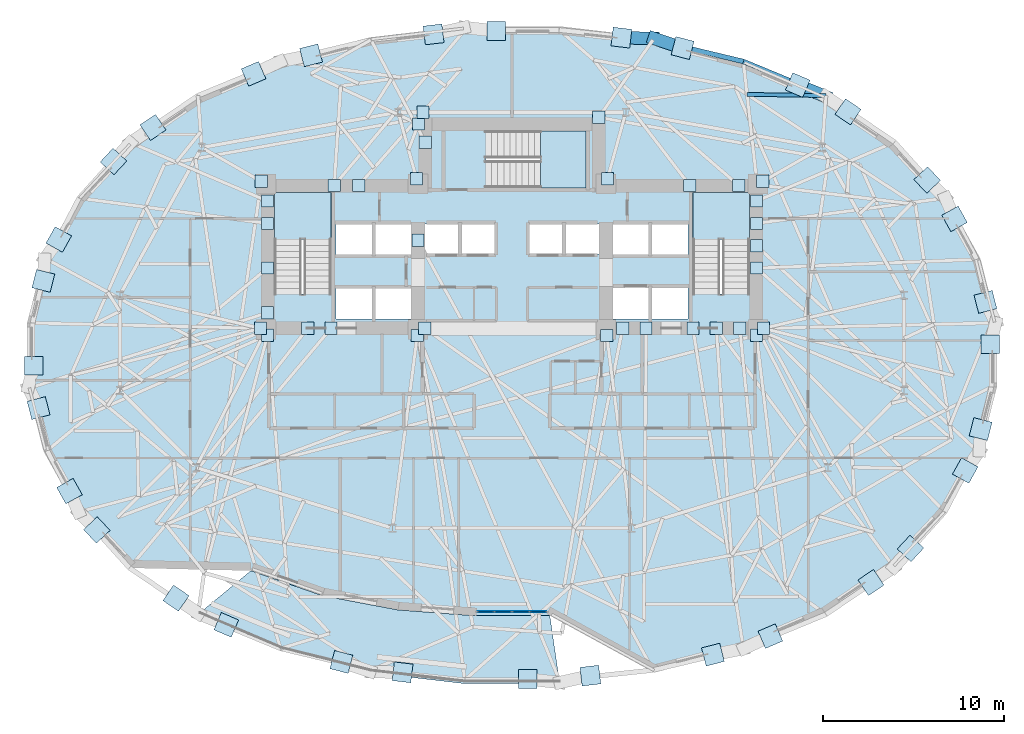
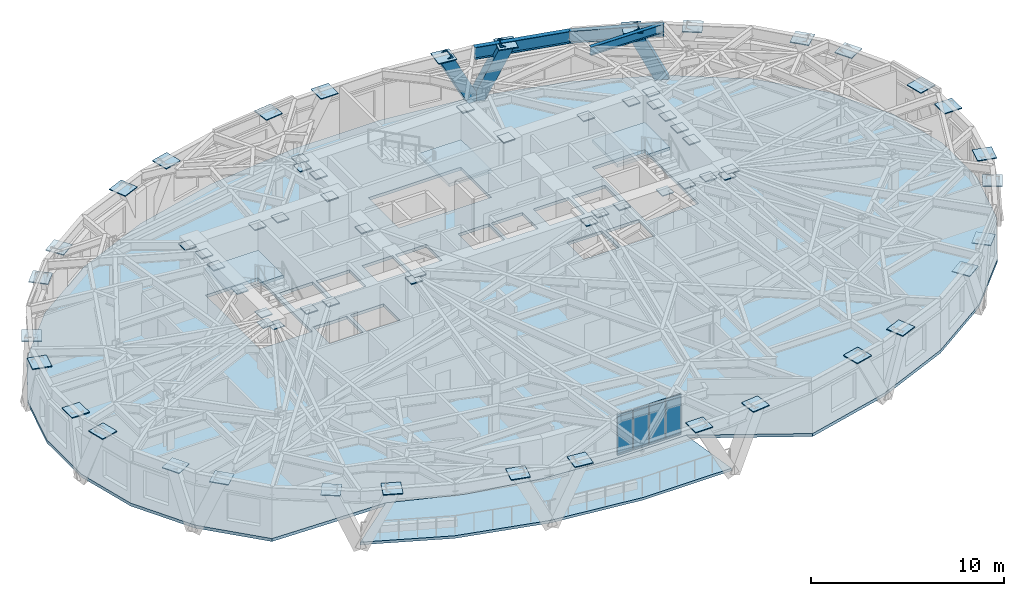
# One storey, part 6 of 15: 71 plates, 11 members, 5 slabs, 3 beams, 4 elements without a shape of their own.
"""IFC4 building model written with IfcOpenShell, lengths in metres."""

import ifcopenshell
import ifcopenshell.guid

model = None  # the IFC model being written
_history = None  # IfcOwnerHistory: only IFC2X3 demands one
_inside = {}  # id of a spatial element -> (the spatial element, [elements in it])
_under = {}  # id of a project, library or spatial element -> (it, [spatial elements below it])
_declared = {}  # id of a project -> (the project, [libraries it declares])
_typed = {}  # id of a type object -> (the type object, [elements of that type])
_made_of = {}  # id of a material, layer set ... -> (it, [elements and type objects made of it])


def new_model(schema):
    """Start an empty IFC model of exactly this schema.

    Asked for "IFC4X3", IfcOpenShell would pick the latest addendum, in which some entities
    have other attributes; the version numbers below select the first issue.
    IFC2X3 requires an IfcOwnerHistory on every rooted entity: one is made here for all.
    """
    global model, _history
    if schema == "IFC4X3":
        model = ifcopenshell.file(schema_version=(4, 3, 0, 0))
    else:
        model = ifcopenshell.file(schema=schema)
    _inside.clear()
    _under.clear()
    _declared.clear()
    _typed.clear()
    _made_of.clear()
    _history = None
    if model.schema == "IFC2X3":
        org = make("IfcOrganization", Name="unknown")
        user = make(
            "IfcPersonAndOrganization",
            ThePerson=make("IfcPerson", FamilyName="unknown"),
            TheOrganization=org,
        )
        app = make(
            "IfcApplication",
            ApplicationDeveloper=org,
            Version="unknown",
            ApplicationFullName="unknown",
            ApplicationIdentifier="unknown",
        )
        _history = make(
            "IfcOwnerHistory",
            OwningUser=user,
            OwningApplication=app,
            ChangeAction="ADDED",
            CreationDate=0,
        )
    return model


def make(cls, **values):
    """One entity of the class cls with the attributes given. An attribute that is None is left unset."""
    return model.create_entity(
        cls, **{name: value for name, value in values.items() if value is not None}
    )


def rooted(cls, **values):
    """An entity with a GlobalId (a new one), such as an element, a storey or a relation."""
    return make(cls, GlobalId=ifcopenshell.guid.new(), OwnerHistory=_history, **values)


def si_unit(unit_type, name, prefix=None):
    """IfcSIUnit, for example si_unit("LENGTHUNIT", "METRE", prefix="MILLI")."""
    return make("IfcSIUnit", UnitType=unit_type, Prefix=prefix, Name=name)


def assignment(units):
    """IfcUnitAssignment: the units of a project."""
    return None if units is None else make("IfcUnitAssignment", Units=units)


def point(xyz):
    """IfcCartesianPoint."""
    return None if xyz is None else make("IfcCartesianPoint", Coordinates=xyz)


def direction(xyz):
    """IfcDirection."""
    return None if xyz is None else make("IfcDirection", DirectionRatios=xyz)


def frame(location, z_axis=None, x_axis=None):
    """IfcAxis2Placement3D, a coordinate frame: its origin and axes. An axis left out is left unset."""
    return make(
        "IfcAxis2Placement3D",
        Location=point(location),
        Axis=direction(z_axis),
        RefDirection=direction(x_axis),
    )


def frame_2d(location, x_axis=None):
    """IfcAxis2Placement2D, a coordinate frame in the plane: its origin and x axis."""
    return make(
        "IfcAxis2Placement2D", Location=point(location), RefDirection=direction(x_axis)
    )


def origin():
    """The frame at (0, 0, 0) with its axes left unset."""
    return frame((0.0, 0.0, 0.0))


def origin_2d():
    """The frame at (0, 0) in the plane with its x axis left unset."""
    return frame_2d((0.0, 0.0))


def place(relative_to, where):
    """IfcLocalPlacement: puts the frame where relative to a parent placement (None: the world)."""
    return make(
        "IfcLocalPlacement", PlacementRelTo=relative_to, RelativePlacement=where
    )


def context(
    kind, dimensions, precision=None, world=None, true_north=None, identifier=None
):
    """IfcGeometricRepresentationContext, for example the 3D "Model" context."""
    return make(
        "IfcGeometricRepresentationContext",
        ContextIdentifier=identifier,
        ContextType=kind,
        CoordinateSpaceDimension=dimensions,
        Precision=precision,
        WorldCoordinateSystem=world,
        TrueNorth=true_north,
    )


def subcontext(parent, identifier, kind, view, scale=None):
    """IfcGeometricRepresentationSubContext, for example "Body" below "Model"."""
    return make(
        "IfcGeometricRepresentationSubContext",
        ContextIdentifier=identifier,
        ContextType=kind,
        ParentContext=parent,
        TargetScale=scale,
        TargetView=view,
    )


def project(units=None, contexts=None):
    """IfcProject with its units and contexts."""
    return rooted(
        "IfcProject",
        Name="project",
        RepresentationContexts=contexts,
        UnitsInContext=assignment(units),
    )


def spatial(cls, under=None, at=None, **own):
    """A site, building, storey or space (cls), placed at a placement, below another one or the project."""
    s = rooted(cls, ObjectPlacement=at, **own)
    if under is not None:
        _under.setdefault(under.id(), (under, []))[1].append(s)
    return s


def polyline(points):
    """IfcPolyline through the points."""
    return make("IfcPolyline", Points=[point(p) for p in points])


def profile(cls, at=None, kind="AREA", **sizes):
    """A parametric profile (cls). Its sizes go by their IFC names, for example OverallWidth=200.0."""
    return make(cls, ProfileType=kind, Position=at, **sizes)


def rectangle(**sizes):
    """IfcRectangleProfileDef."""
    return profile("IfcRectangleProfileDef", **sizes)


def hollow_rectangle(**sizes):
    """IfcRectangleHollowProfileDef."""
    return profile("IfcRectangleHollowProfileDef", **sizes)


def i_section(**sizes):
    """IfcIShapeProfileDef."""
    return profile("IfcIShapeProfileDef", **sizes)


def outline(outer, holes=None, kind="AREA"):
    """IfcArbitraryClosedProfileDef: a profile drawn as a closed curve; with holes, ...WithVoids."""
    if holes is None:
        return make("IfcArbitraryClosedProfileDef", ProfileType=kind, OuterCurve=outer)
    return make(
        "IfcArbitraryProfileDefWithVoids",
        ProfileType=kind,
        OuterCurve=outer,
        InnerCurves=holes,
    )


def extrude(swept, where, along, depth):
    """IfcExtrudedAreaSolid: the profile swept, set in the frame where, extruded along a direction by depth."""
    return make(
        "IfcExtrudedAreaSolid",
        SweptArea=swept,
        Position=where,
        ExtrudedDirection=direction(along),
        Depth=depth,
    )


def shape(context_of_items, identifier, shape_type, items):
    """IfcShapeRepresentation: the items that make up one representation, for example the "Body"."""
    return make(
        "IfcShapeRepresentation",
        ContextOfItems=context_of_items,
        RepresentationIdentifier=identifier,
        RepresentationType=shape_type,
        Items=items,
    )


def material(Name=None, Category=None):
    """IfcMaterial."""
    return make("IfcMaterial", Name=Name, Category=Category)


def layer(
    of_material, thickness, ventilated=None, Name=None, Category=None, Priority=None
):
    """IfcMaterialLayer: one layer of a wall or slab, of a material (None: an air gap)."""
    return make(
        "IfcMaterialLayer",
        Material=of_material,
        LayerThickness=thickness,
        IsVentilated=ventilated,
        Name=Name,
        Category=Category,
        Priority=Priority,
    )


def layer_set(layers, Name=None):
    """IfcMaterialLayerSet."""
    return make("IfcMaterialLayerSet", MaterialLayers=layers, LayerSetName=Name)


def material_profile(
    of_material, cross_section, Name=None, Category=None, Priority=None
):
    """IfcMaterialProfile: a cross section and its material."""
    return make(
        "IfcMaterialProfile",
        Name=Name,
        Material=of_material,
        Profile=cross_section,
        Priority=Priority,
        Category=Category,
    )


def profile_set(profiles, Name=None, composite=None):
    """IfcMaterialProfileSet."""
    return make(
        "IfcMaterialProfileSet",
        Name=Name,
        MaterialProfiles=profiles,
        CompositeProfile=composite,
    )


def made_of(thing, what):
    """Note that an element or type object is made of a material, layer set ...; save() writes the relation."""
    if what is not None:
        _made_of.setdefault(what.id(), (what, []))[1].append(thing)
    return thing


def type_object(cls, material=None, **own):
    """A type object (cls), such as IfcWallType, which elements share."""
    return made_of(rooted(cls, **own), material)


def element(
    cls,
    number,
    at=None,
    inside=None,
    cuts=None,
    type_object=None,
    material=None,
    context=None,
    identifier="Body",
    shape_type=None,
    held_by="IfcProductDefinitionShape",
    body=None,
    shapes=None,
    **own,
):
    """One element of the class cls, such as IfcWall. Its Tag is "e" and its number.

    at: its placement. inside: the storey or other place that contains it. cuts: it is an
    opening in that element (IfcRelVoidsElement). A single representation is given by context,
    identifier, shape_type and body (its items); several are given by shapes. held_by: the class
    of the entity that holds the representations. save() writes the other relations.
    """
    e = rooted(cls, Tag="e%d" % number, ObjectPlacement=at, **own)
    if body is not None:
        shapes = [shape(context, identifier, shape_type, body)]
    if shapes is not None:
        e.Representation = make(held_by, Representations=shapes)
    if inside is not None:
        _inside.setdefault(inside.id(), (inside, []))[1].append(e)
    if cuts is not None:
        rooted(
            "IfcRelVoidsElement", RelatingBuildingElement=cuts, RelatedOpeningElement=e
        )
    if type_object is not None:
        _typed.setdefault(type_object.id(), (type_object, []))[1].append(e)
    return made_of(e, material)


def aggregate(whole, parts):
    """IfcRelAggregates: a whole, such as a stair, and the parts it consists of."""
    return rooted("IfcRelAggregates", RelatingObject=whole, RelatedObjects=parts)


def save(model, path):
    """Write the relations noted so far, then the file.

    IfcRelAggregates (storeys below a building ...), IfcRelContainedInSpatialStructure (elements
    in a storey), IfcRelDefinesByType, IfcRelAssociatesMaterial and IfcRelDeclares: one each for
    every whole, place, type object, material and project.
    """
    for whole, parts in _under.values():
        aggregate(whole, parts)
    for where, things in _inside.values():
        rooted(
            "IfcRelContainedInSpatialStructure",
            RelatedElements=things,
            RelatingStructure=where,
        )
    for kind, things in _typed.values():
        rooted("IfcRelDefinesByType", RelatedObjects=things, RelatingType=kind)
    for what, things in _made_of.values():
        rooted("IfcRelAssociatesMaterial", RelatedObjects=things, RelatingMaterial=what)
    for by, libraries in _declared.values():
        rooted("IfcRelDeclares", RelatingContext=by, RelatedDefinitions=libraries)
    model.write(path)


model = new_model("IFC4")

# Units and contexts
model_context = context("Model", 3, precision=1e-05, world=origin(), true_north=direction((0.0, 1.0)))
body_context = subcontext(model_context, "Body", "Model", "MODEL_VIEW")
ifc_project = project(units=[si_unit("LENGTHUNIT", "METRE"), si_unit("AREAUNIT", "SQUARE_METRE"), si_unit("VOLUMEUNIT", "CUBIC_METRE"), si_unit("PLANEANGLEUNIT", "RADIAN"), si_unit("MASSUNIT", "GRAM", prefix="KILO")], contexts=[model_context])

# Site, building, storey
site_placement = place(None, origin())
site = spatial("IfcSite", under=ifc_project, at=site_placement, CompositionType="ELEMENT")
building_placement = place(site_placement, origin())
building = spatial("IfcBuilding", under=site, at=building_placement, Name="Keldmark Tower", CompositionType="ELEMENT")
storey_placement = place(building_placement, frame((0.0, 0.0, 114.10009765625)))
storey = spatial("IfcBuildingStorey", under=building, at=storey_placement, Name="L30", CompositionType="ELEMENT", Elevation=114.10009765625)

# Curtain wall, members
ifc_material_1 = material(Name="Unitized Thermally Broken Aluminum and Triple Low-E Glazing", Category="aluminium")
ifc_layer_1 = layer(ifc_material_1, 0.219970703125)
ifc_layer_set_1 = layer_set([ifc_layer_1], Name="Unitized Thermally Broken Aluminum and Triple Low-E Glazing")
curtain_wall_type = type_object("IfcCurtainWallType", Name="Spiralling Sky-Garden Feature Curtain Wall System", PredefinedType="NOTDEFINED", material=ifc_layer_set_1)
curtain_wall_placement = place(storey_placement, origin())
curtain_wall = element("IfcCurtainWall", 1, at=curtain_wall_placement, inside=storey, type_object=curtain_wall_type, Name="L30 Spiralling Sky-Garden Feature Curtain Wall System CW-L30-24", PredefinedType="NOTDEFINED")
ifc_material_2 = material(Name="Extruded Aluminum Alloy 6063-T6", Category="aluminium")
ifc_material_profile_1 = material_profile(ifc_material_2, rectangle(XDim=0.06005859375, YDim=0.139892578125, at=origin_2d()), Name="CWT60X140")
ifc_profile_set_1 = profile_set([ifc_material_profile_1], Name="Extruded Aluminum Alloy 6063-T6")
member_type_1 = type_object("IfcMemberType", Name="Curtain Wall Horizontal Transom 60x140", PredefinedType="USERDEFINED", material=ifc_profile_set_1)
member_1_placement = place(storey_placement, frame((1.895263671875, -14.2021484375, 0.02978515625), z_axis=(-1.0, 0.0, 0.0), x_axis=(0.0, -1.0, 0.0)))
member_1 = element("IfcMember", 2, at=member_1_placement, type_object=member_type_1, Name="CW transom 1.1", ObjectType="TRANSOM", PredefinedType="USERDEFINED", context=body_context, shape_type="SweptSolid", body=[
    extrude(rectangle(XDim=0.06005859375, YDim=0.139892578125, at=origin_2d()), origin(), (0.0, 0.0, 1.0), 0.8876953125),
])
member_2_placement = place(storey_placement, frame((1.895263671875, -14.2021484375, 2.497802734375), z_axis=(-1.0, 0.0, 0.0), x_axis=(0.0, -1.0, 0.0)))
member_2 = element("IfcMember", 3, at=member_2_placement, type_object=member_type_1, Name="CW transom 1.2", ObjectType="TRANSOM", PredefinedType="USERDEFINED", context=body_context, shape_type="SweptSolid", body=[
    extrude(rectangle(XDim=0.06005859375, YDim=0.139892578125, at=origin_2d()), origin(), (0.0, 0.0, 1.0), 0.8876953125),
])
member_3_placement = place(storey_placement, frame((0.94775390625, -14.2021484375, 0.02978515625), z_axis=(-1.0, 0.0, 0.0), x_axis=(0.0, -1.0, 0.0)))
member_3 = element("IfcMember", 4, at=member_3_placement, type_object=member_type_1, Name="CW transom 2.1", ObjectType="TRANSOM", PredefinedType="USERDEFINED", context=body_context, shape_type="SweptSolid", body=[
    extrude(rectangle(XDim=0.06005859375, YDim=0.139892578125, at=origin_2d()), origin(), (0.0, 0.0, 1.0), 0.917724609375),
])
member_4_placement = place(storey_placement, frame((0.94775390625, -14.2021484375, 2.497802734375), z_axis=(-1.0, 0.0, 0.0), x_axis=(0.0, -1.0, 0.0)))
member_4 = element("IfcMember", 5, at=member_4_placement, type_object=member_type_1, Name="CW transom 2.2", ObjectType="TRANSOM", PredefinedType="USERDEFINED", context=body_context, shape_type="SweptSolid", body=[
    extrude(rectangle(XDim=0.06005859375, YDim=0.139892578125, at=origin_2d()), origin(), (0.0, 0.0, 1.0), 0.917724609375),
])
member_5_placement = place(storey_placement, frame((-0.030029296875, -14.2021484375, 0.02978515625), z_axis=(-1.0, 0.0, 0.0), x_axis=(0.0, -1.0, 0.0)))
member_5 = element("IfcMember", 6, at=member_5_placement, type_object=member_type_1, Name="CW transom 3.1", ObjectType="TRANSOM", PredefinedType="USERDEFINED", context=body_context, shape_type="SweptSolid", body=[
    extrude(rectangle(XDim=0.06005859375, YDim=0.139892578125, at=origin_2d()), origin(), (0.0, 0.0, 1.0), 0.917724609375),
])
member_6_placement = place(storey_placement, frame((-0.030029296875, -14.2021484375, 2.497802734375), z_axis=(-1.0, 0.0, 0.0), x_axis=(0.0, -1.0, 0.0)))
member_6 = element("IfcMember", 7, at=member_6_placement, type_object=member_type_1, Name="CW transom 3.2", ObjectType="TRANSOM", PredefinedType="USERDEFINED", context=body_context, shape_type="SweptSolid", body=[
    extrude(rectangle(XDim=0.06005859375, YDim=0.139892578125, at=origin_2d()), origin(), (0.0, 0.0, 1.0), 0.917724609375),
])
member_7_placement = place(storey_placement, frame((-1.007568359375, -14.2021484375, 0.02978515625), z_axis=(-1.0, 0.0, 0.0), x_axis=(0.0, -1.0, 0.0)))
member_7 = element("IfcMember", 8, at=member_7_placement, type_object=member_type_1, Name="CW transom 4.1", ObjectType="TRANSOM", PredefinedType="USERDEFINED", context=body_context, shape_type="SweptSolid", body=[
    extrude(rectangle(XDim=0.06005859375, YDim=0.139892578125, at=origin_2d()), origin(), (0.0, 0.0, 1.0), 0.8876953125),
])
member_8_placement = place(storey_placement, frame((-1.007568359375, -14.2021484375, 2.497802734375), z_axis=(-1.0, 0.0, 0.0), x_axis=(0.0, -1.0, 0.0)))
member_8 = element("IfcMember", 9, at=member_8_placement, type_object=member_type_1, Name="CW transom 4.2", ObjectType="TRANSOM", PredefinedType="USERDEFINED", context=body_context, shape_type="SweptSolid", body=[
    extrude(rectangle(XDim=0.06005859375, YDim=0.139892578125, at=origin_2d()), origin(), (0.0, 0.0, 1.0), 0.8876953125),
])

# Members
ifc_material_3 = material(Name="Steel ASTM A572 Grade 50", Category="steel")
ifc_material_profile_2 = material_profile(ifc_material_3, hollow_rectangle(XDim=0.699951171875, YDim=0.699951171875, WallThickness=0.044921875, at=origin_2d()), Name="BOX700X700X45")
ifc_profile_set_2 = profile_set([ifc_material_profile_2], Name="Steel ASTM A572 Grade 50")
member_type_2 = type_object("IfcMemberType", Name="Diagrid Zone 2 Brace BOX700X700X45", PredefinedType="BRACE", material=ifc_profile_set_2)
member_9_placement = place(storey_placement, frame((17.3369140625, 14.306640625, -0.27001953125), z_axis=(-0.398524163203, 0.163281552325, 0.902506302479), x_axis=(-0.379127945729, -0.925344260677, 0.0)))
element("IfcMember", 10, at=member_9_placement, inside=storey, type_object=member_type_2, Name="L30 Perimeter Diagrid Brace 03A", PredefinedType="BRACE", context=body_context, shape_type="SweptSolid", body=[
    extrude(hollow_rectangle(XDim=0.699951171875, YDim=0.699951171875, WallThickness=0.044921875, at=origin_2d()), origin(), (0.0, 0.0, 1.0), 3.833740234375),
])
member_10_placement = place(storey_placement, frame((7.833740234375, 17.517822265625, -0.27001953125), z_axis=(0.416930348672, -0.138934527864, 0.898257358068), x_axis=(0.316141229693, 0.948712139107, 0.0)))
element("IfcMember", 11, at=member_10_placement, inside=storey, type_object=member_type_2, Name="L30 Perimeter Diagrid Brace 03B", PredefinedType="BRACE", context=body_context, shape_type="SweptSolid", body=[
    extrude(hollow_rectangle(XDim=0.699951171875, YDim=0.699951171875, WallThickness=0.044921875, at=origin_2d()), origin(), (0.0, 0.0, 1.0), 3.851806640625),
])
member_11_placement = place(storey_placement, frame((7.844482421875, 17.51318359375, -0.27001953125), z_axis=(-0.45957172828, 0.011780676973, 0.888062521569), x_axis=(-0.02562561531, -0.99967161, 0.0)))
element("IfcMember", 12, at=member_11_placement, inside=storey, type_object=member_type_2, Name="L30 Perimeter Diagrid Brace 04A", PredefinedType="BRACE", context=body_context, shape_type="SweptSolid", body=[
    extrude(hollow_rectangle(XDim=0.699951171875, YDim=0.699951171875, WallThickness=0.044921875, at=origin_2d()), origin(), (0.0, 0.0, 1.0), 3.89599609375),
])

# Beams
ifc_material_4 = material(Name="Steel ASTM A992 Grade 50", Category="steel")
ifc_material_profile_3 = material_profile(ifc_material_4, i_section(OverallWidth=0.2099609375, OverallDepth=0.537109375, WebThickness=0.010986328125, FlangeThickness=0.017333984375, at=origin_2d()), Name="W21X68")
ifc_profile_set_3 = profile_set([ifc_material_profile_3], Name="Steel ASTM A992 Grade 50")
beam_type_1 = type_object("IfcBeamType", Name="Radial Tie Girder W21X68", PredefinedType="BEAM", material=ifc_profile_set_3)
beam_1_placement = place(storey_placement, frame((17.3701171875, 14.349365234375, 3.04150390625), z_axis=(-0.999875648171, 0.015769850827, 0.0), x_axis=(-0.015769850827, -0.999875648171, 0.0)))
element("IfcBeam", 13, at=beam_1_placement, inside=storey, type_object=beam_type_1, Name="L30 Framing Pin Header PH-018", PredefinedType="BEAM", context=body_context, shape_type="SweptSolid", body=[
    extrude(i_section(OverallWidth=0.2099609375, OverallDepth=0.537109375, WebThickness=0.010986328125, FlangeThickness=0.017333984375, at=origin_2d()), origin(), (0.0, 0.0, 1.0), 4.36572265625),
])
ifc_material_5 = material(Name="Steel ASTM A992 Grade 50", Category="steel")
ifc_material_profile_4 = material_profile(ifc_material_5, i_section(OverallWidth=0.26806640625, OverallDepth=0.77001953125, WebThickness=0.015625, FlangeThickness=0.025390625, at=origin_2d()), Name="W30X132")
ifc_profile_set_4 = profile_set([ifc_material_profile_4], Name="Steel ASTM A992 Grade 50")
beam_type_2 = type_object("IfcBeamType", Name="Spandrel Ring Beam W30X132", PredefinedType="SPANDREL", material=ifc_profile_set_4)
beam_2_placement = place(storey_placement, frame((17.3701171875, 14.349365234375, 2.9248046875), z_axis=(-0.924147350217, 0.382036222218, 0.0), x_axis=(-0.382036222218, -0.924147350217, 0.0)))
element("IfcBeam", 14, at=beam_2_placement, inside=storey, type_object=beam_type_2, Name="L30 Perimeter Spandrel Ring Beam SRB-05", PredefinedType="SPANDREL", context=body_context, shape_type="SweptSolid", body=[
    extrude(i_section(OverallWidth=0.26806640625, OverallDepth=0.77001953125, WebThickness=0.015625, FlangeThickness=0.025390625, at=origin_2d()), origin(), (0.0, 0.0, 1.0), 4.943115234375),
])
beam_3_placement = place(storey_placement, frame((12.802001953125, 16.23779296875, 2.9248046875), z_axis=(-0.972552972063, 0.232681577549, 0.0), x_axis=(-0.232681577549, -0.972552972063, 0.0)))
element("IfcBeam", 15, at=beam_3_placement, inside=storey, type_object=beam_type_2, Name="L30 Perimeter Spandrel Ring Beam SRB-06", PredefinedType="SPANDREL", context=body_context, shape_type="SweptSolid", body=[
    extrude(i_section(OverallWidth=0.26806640625, OverallDepth=0.77001953125, WebThickness=0.015625, FlangeThickness=0.025390625, at=origin_2d()), origin(), (0.0, 0.0, 1.0), 5.142333984375),
])

# Plates
ifc_material_6 = material(Name="Steel ASTM A572 Grade 50", Category="steel")
ifc_layer_2 = layer(ifc_material_6, 0.06005859375)
ifc_layer_set_2 = layer_set([ifc_layer_2], Name="Steel ASTM A572 Grade 50")
plate_type_1 = type_object("IfcPlateType", Name="Belt Truss Kink Node Assembly KN01 60 mm", PredefinedType="USERDEFINED", material=ifc_layer_set_2)
for number, where, z_axis, x_axis, name in (
    (16, (13.91162109375, 1.473388671875, 3.01416015625), (0.0, 0.0, 1.0), (1.0, 0.0, 0.0), "L30 Core Wall Cast-In Embed Plate 846"),
    (17, (13.878173828125, 9.608154296875, 3.01416015625), (0.0, 0.0, 1.0), (1.0, 0.0, 0.0), "L30 Core Wall Cast-In Embed Plate 847"),
    (18, (5.28515625, 9.758544921875, 3.01416015625), (0.0, 0.0, 1.0), (1.0, 0.0, 0.0), "L30 Core Wall Cast-In Embed Plate 848"),
    (19, (-5.28515625, 9.758544921875, 3.01416015625), (0.0, 0.0, 1.0), (1.0, 0.0, 0.0), "L30 Core Wall Cast-In Embed Plate 849"),
    (20, (-13.878173828125, 9.608154296875, 3.01416015625), (0.0, 0.0, 1.0), (1.0, 0.0, 0.0), "L30 Core Wall Cast-In Embed Plate 850"),
    (21, (-13.91162109375, 1.473388671875, 3.01416015625), (0.0, 0.0, 1.0), (1.0, 0.0, 0.0), "L30 Core Wall Cast-In Embed Plate 851"),
    (22, (-5.24072265625, 1.08251953125, 3.01416015625), (0.0, 0.0, 1.0), (1.0, 0.0, 0.0), "L30 Core Wall Cast-In Embed Plate 852"),
    (23, (5.24072265625, 1.08251953125, 3.01416015625), (0.0, 0.0, 1.0), (1.0, 0.0, 0.0), "L30 Core Wall Cast-In Embed Plate 853"),
    (24, (4.800048828125, 13.14990234375, 3.01416015625), (0.0, 0.0, 1.0), (1.0, 0.0, 0.0), "L30 Core Wall Cast-In Embed Plate 854"),
    (25, (-4.92236328125, 13.4326171875, 3.01416015625), (0.0, 0.0, 1.0), (1.0, 0.0, 0.0), "L30 Core Wall Cast-In Embed Plate 855"),
    (26, (-8.485595703125, 9.375, 3.01416015625), (0.0, 0.0, 1.0), (1.0, 0.0, 0.0), "L30 Core Wall Cast-In Embed Plate 856"),
    (27, (-9.83935546875, 9.375, 3.01416015625), (0.0, 0.0, 1.0), (1.0, 0.0, 0.0), "L30 Core Wall Cast-In Embed Plate 857"),
    (28, (9.83935546875, 9.375, 3.01416015625), (0.0, 0.0, 1.0), (1.0, 0.0, 0.0), "L30 Core Wall Cast-In Embed Plate 858"),
    (29, (-11.30712890625, 1.47509765625, 3.01416015625), (0.0, 0.0, 1.0), (1.0, 0.0, 0.0), "L30 Core Wall Cast-In Embed Plate 859"),
    (30, (12.603515625, 1.47509765625, 3.01416015625), (0.0, 0.0, 1.0), (1.0, 0.0, 0.0), "L30 Core Wall Cast-In Embed Plate 860"),
    (31, (13.52490234375, 4.80712890625, 3.01416015625), (0.0, 0.0, 1.0), (1.0, 0.0, 0.0), "L30 Core Wall Cast-In Embed Plate 861"),
    (32, (13.52490234375, 7.278564453125, 3.01416015625), (0.0, 0.0, 1.0), (1.0, 0.0, 0.0), "L30 Core Wall Cast-In Embed Plate 862"),
    (33, (13.52490234375, 8.514404296875, 3.01416015625), (0.0, 0.0, 1.0), (1.0, 0.0, 0.0), "L30 Core Wall Cast-In Embed Plate 863"),
    (34, (12.54638671875, 9.375, 3.01416015625), (0.0, 0.0, 1.0), (1.0, 0.0, 0.0), "L30 Core Wall Cast-In Embed Plate 864"),
    (35, (-4.800048828125, 11.7666015625, 3.01416015625), (0.0, 0.0, 1.0), (1.0, 0.0, 0.0), "L30 Core Wall Cast-In Embed Plate 865"),
    (36, (-5.175048828125, 12.77490234375, 3.01416015625), (0.0, 0.0, 1.0), (1.0, 0.0, 0.0), "L30 Core Wall Cast-In Embed Plate 866"),
    (37, (-13.52490234375, 8.514404296875, 3.01416015625), (0.0, 0.0, 1.0), (1.0, 0.0, 0.0), "L30 Core Wall Cast-In Embed Plate 867"),
    (38, (-13.52490234375, 7.278564453125, 3.01416015625), (0.0, 0.0, 1.0), (1.0, 0.0, 0.0), "L30 Core Wall Cast-In Embed Plate 868"),
    (39, (-13.52490234375, 2.335693359375, 3.01416015625), (0.0, 0.0, 1.0), (1.0, 0.0, 0.0), "L30 Core Wall Cast-In Embed Plate 869"),
    (40, (-13.52490234375, 1.10009765625, 3.01416015625), (0.0, 0.0, 1.0), (1.0, 0.0, 0.0), "L30 Core Wall Cast-In Embed Plate 870"),
    (41, (-13.52490234375, 4.80712890625, 3.01416015625), (0.0, 0.0, 1.0), (1.0, 0.0, 0.0), "L30 Core Wall Cast-In Embed Plate 871"),
    (42, (13.52490234375, 1.10009765625, 3.01416015625), (0.0, 0.0, 1.0), (1.0, 0.0, 0.0), "L30 Core Wall Cast-In Embed Plate 872"),
    (43, (-10.0107421875, 1.47509765625, 3.01416015625), (0.0, 0.0, 1.0), (1.0, 0.0, 0.0), "L30 Core Wall Cast-In Embed Plate 873"),
    (44, (6.121337890625, 1.47509765625, 3.01416015625), (0.0, 0.0, 1.0), (1.0, 0.0, 0.0), "L30 Core Wall Cast-In Embed Plate 874"),
    (45, (7.41796875, 1.47509765625, 3.01416015625), (0.0, 0.0, 1.0), (1.0, 0.0, 0.0), "L30 Core Wall Cast-In Embed Plate 875"),
    (46, (-5.199951171875, 6.35009765625, 3.01416015625), (0.0, 0.0, 1.0), (1.0, 0.0, 0.0), "L30 Core Wall Cast-In Embed Plate 876"),
    (47, (11.30712890625, 1.47509765625, 3.01416015625), (0.0, 0.0, 1.0), (1.0, 0.0, 0.0), "L30 Core Wall Cast-In Embed Plate 877"),
    (48, (10.0107421875, 1.47509765625, 3.01416015625), (0.0, 0.0, 1.0), (1.0, 0.0, 0.0), "L30 Core Wall Cast-In Embed Plate 878"),
    (49, (-4.824951171875, 1.47509765625, 3.01416015625), (0.0, 0.0, 1.0), (1.0, 0.0, 0.0), "L30 Core Wall Cast-In Embed Plate 879"),
    (50, (13.52490234375, 6.04296875, 3.01416015625), (0.0, 0.0, 1.0), (1.0, 0.0, 0.0), "L30 Core Wall Cast-In Embed Plate 880"),
):
    element("IfcPlate", number, at=place(storey_placement, frame(where, z_axis=z_axis, x_axis=x_axis)), inside=storey, type_object=plate_type_1, Name=name, ObjectType="CAP PLATE", PredefinedType="USERDEFINED", context=body_context, shape_type="SweptSolid", body=[
        extrude(rectangle(XDim=0.679931640625, YDim=0.679931640625, at=origin_2d()), origin(), (0.0, 0.0, 1.0), 0.054931640625),
    ])
ifc_material_7 = material(Name="Steel ASTM A572 Grade 50", Category="steel")
ifc_layer_3 = layer(ifc_material_7, 0.054931640625)
ifc_layer_set_3 = layer_set([ifc_layer_3], Name="Steel ASTM A572 Grade 50")
plate_type_2 = type_object("IfcPlateType", Name="Diagrid Node Assembly DN03 55 mm", PredefinedType="USERDEFINED", material=ifc_layer_set_3)
for number, where, z_axis, x_axis, name in (
    (51, (26.193603515625, 2.937744140625, 3.16259765625), (0.0, 0.0, 1.0), (-0.24716813411, 0.968972607188, 0.0), "L30 Diagrid Node Assembly 01"),
    (52, (24.48193359375, 7.53173828125, 3.16259765625), (0.0, 0.0, 1.0), (-0.486335380423, 0.873772223035, 0.0), "L30 Diagrid Node Assembly 02"),
    (53, (22.969482421875, 9.683349609375, 3.16259765625), (0.0, 0.0, 1.0), (-0.682381202461, 0.730996507877, 0.0), "L30 Diagrid Node Assembly 03"),
    (54, (18.588623046875, 13.45361328125, 3.16259765625), (0.0, 0.0, 1.0), (-0.827766671236, 0.56107248907, 0.0), "L30 Diagrid Node Assembly 04"),
    (55, (15.80908203125, 14.9326171875, 3.16259765625), (0.0, 0.0, 1.0), (-0.918997771593, 0.394262724343, 0.0), "L30 Diagrid Node Assembly 05"),
    (56, (9.439697265625, 16.982666015625, 3.16259765625), (0.0, 0.0, 1.0), (-0.968799815159, 0.247844544316, 0.0), "L30 Diagrid Node Assembly 06"),
    (57, (6.053955078125, 17.55908203125, 3.16259765625), (0.0, 0.0, 1.0), (-0.993190997297, 0.116497394345, 0.0), "L30 Diagrid Node Assembly 07"),
    (58, (-0.876708984375, 17.921142578125, 3.16259765625), (0.0, 0.0, 1.0), (-1.0, 0.0, 0.0), "L30 Diagrid Node Assembly 08"),
    (59, (-4.3359375, 17.739013671875, 3.16259765625), (0.0, 0.0, 1.0), (-0.993190997297, -0.116497394345, 0.0), "L30 Diagrid Node Assembly 09"),
    (60, (-11.11767578125, 16.579345703125, 3.16259765625), (0.0, 0.0, 1.0), (-0.968799815159, -0.247844544316, 0.0), "L30 Diagrid Node Assembly 10"),
    (61, (-14.29638671875, 15.555419921875, 3.16259765625), (0.0, 0.0, 1.0), (-0.918997771593, -0.394262724343, 0.0), "L30 Diagrid Node Assembly 11"),
    (62, (-19.8623046875, 12.58740234375, 3.16259765625), (0.0, 0.0, 1.0), (-0.827766671236, -0.56107248907, 0.0), "L30 Diagrid Node Assembly 12"),
    (63, (-22.047607421875, 10.705810546875, 3.16259765625), (0.0, 0.0, 1.0), (-0.682381202461, -0.730996507877, 0.0), "L30 Diagrid Node Assembly 13"),
    (64, (-25.07470703125, 6.390625, 3.16259765625), (0.0, 0.0, 1.0), (-0.486335380423, -0.873772223035, 0.0), "L30 Diagrid Node Assembly 14"),
    (65, (-25.92724609375, 4.0986328125, 3.16259765625), (0.0, 0.0, 1.0), (-0.24716813411, -0.968972607188, 0.0), "L30 Diagrid Node Assembly 15"),
    (66, (-26.462158203125, -0.59619140625, 3.16259765625), (0.0, 0.0, 1.0), (0.0, -1.0, 0.0), "L30 Diagrid Node Assembly 16"),
    (67, (-26.193603515625, -2.937744140625, 3.16259765625), (0.0, 0.0, 1.0), (0.24716813411, -0.968972607188, 0.0), "L30 Diagrid Node Assembly 17"),
    (68, (-24.48193359375, -7.53173828125, 3.16259765625), (0.0, 0.0, 1.0), (0.486335380423, -0.873772223035, 0.0), "L30 Diagrid Node Assembly 18"),
    (69, (-22.969482421875, -9.683349609375, 3.16259765625), (0.0, 0.0, 1.0), (0.682381202461, -0.730996507877, 0.0), "L30 Diagrid Node Assembly 19"),
    (70, (-18.588623046875, -13.45361328125, 3.16259765625), (0.0, 0.0, 1.0), (0.827766671236, -0.56107248907, 0.0), "L30 Diagrid Node Assembly 20"),
    (71, (-15.80908203125, -14.9326171875, 3.16259765625), (0.0, 0.0, 1.0), (0.918997771593, -0.394262724343, 0.0), "L30 Diagrid Node Assembly 21"),
    (72, (-9.439697265625, -16.982666015625, 3.16259765625), (0.0, 0.0, 1.0), (0.968799815159, -0.247844544316, 0.0), "L30 Diagrid Node Assembly 22"),
    (73, (-6.053955078125, -17.55908203125, 3.16259765625), (0.0, 0.0, 1.0), (0.993190997297, -0.116497394345, 0.0), "L30 Diagrid Node Assembly 23"),
    (74, (0.876708984375, -17.921142578125, 3.16259765625), (0.0, 0.0, 1.0), (1.0, 0.0, 0.0), "L30 Diagrid Node Assembly 24"),
    (75, (4.3359375, -17.739013671875, 3.16259765625), (0.0, 0.0, 1.0), (0.993190997297, 0.116497394345, 0.0), "L30 Diagrid Node Assembly 25"),
    (76, (11.11767578125, -16.579345703125, 3.16259765625), (0.0, 0.0, 1.0), (0.968799815159, 0.247844544316, 0.0), "L30 Diagrid Node Assembly 26"),
    (77, (14.29638671875, -15.555419921875, 3.16259765625), (0.0, 0.0, 1.0), (0.918997771593, 0.394262724343, 0.0), "L30 Diagrid Node Assembly 27"),
    (78, (19.8623046875, -12.58740234375, 3.16259765625), (0.0, 0.0, 1.0), (0.827766671236, 0.56107248907, 0.0), "L30 Diagrid Node Assembly 28"),
    (79, (22.047607421875, -10.705810546875, 3.16259765625), (0.0, 0.0, 1.0), (0.682381202461, 0.730996507877, 0.0), "L30 Diagrid Node Assembly 29"),
    (80, (25.07470703125, -6.390625, 3.16259765625), (0.0, 0.0, 1.0), (0.486335380423, 0.873772223035, 0.0), "L30 Diagrid Node Assembly 30"),
    (81, (25.92724609375, -4.0986328125, 3.16259765625), (0.0, 0.0, 1.0), (0.24716813411, 0.968972607188, 0.0), "L30 Diagrid Node Assembly 31"),
    (82, (26.462158203125, 0.59619140625, 3.16259765625), (0.0, 0.0, 1.0), (0.0, 1.0, 0.0), "L30 Diagrid Node Assembly 32"),
):
    element("IfcPlate", number, at=place(storey_placement, frame(where, z_axis=z_axis, x_axis=x_axis)), inside=storey, type_object=plate_type_2, Name=name, ObjectType="GUSSET", PredefinedType="USERDEFINED", context=body_context, shape_type="SweptSolid", body=[
        extrude(rectangle(XDim=1.0400390625, YDim=1.0400390625, at=origin_2d()), origin(), (0.0, 0.0, 1.0), 0.054931640625),
    ])

# Slabs
ifc_material_8 = material(Name="Concrete C35/45", Category="concrete")
ifc_layer_4 = layer(ifc_material_8, 0.18994140625)
ifc_layer_set_4 = layer_set([ifc_layer_4], Name="Concrete C35/45")
slab_type_1 = type_object("IfcSlabType", Name="Mid-Rise Office Composite Slab 190 mm", PredefinedType="FLOOR", material=ifc_layer_set_4)
slab_1_placement = place(storey_placement, frame((0.0, 0.0, -0.190185546875)))
element("IfcSlab", 83, at=slab_1_placement, inside=storey, type_object=slab_type_1, Name="L30 Composite Structural Floor Slab", PredefinedType="FLOOR", context=body_context, shape_type="SweptSolid", body=[
    extrude(outline(polyline([(26.8203125, 1.790771484375), (25.91748046875, 5.330078125), (24.036376953125, 8.7099609375), (21.17138671875, 11.779296875), (17.375, 14.35302734375), (12.84765625, 16.29541015625), (7.862060546875, 17.57080078125), (2.6416015625, 18.1826171875), (-2.6416015625, 18.1826171875), (-7.862060546875, 17.57080078125), (-12.84765625, 16.29541015625), (-17.375, 14.35302734375), (-21.17138671875, 11.779296875), (-24.036376953125, 8.7099609375), (-25.91748046875, 5.330078125), (-26.8203125, 1.790771484375), (-26.8203125, -1.790771484375), (-25.91748046875, -5.330078125), (-24.036376953125, -8.7099609375), (-21.17138671875, -11.779296875), (-14.4453125, -11.932861328125), (-10.4951171875, -13.311279296875), (-6.31005859375, -14.10205078125), (-2.09521484375, -14.422119140625), (2.09521484375, -14.422119140625), (7.862060546875, -17.57080078125), (12.84765625, -16.29541015625), (17.375, -14.35302734375), (21.17138671875, -11.779296875), (24.036376953125, -8.7099609375), (25.91748046875, -5.330078125), (26.8203125, -1.790771484375), (26.8203125, 1.790771484375)]), holes=[polyline([(-10.0, 3.385009765625), (-10.0, 9.0), (-13.14990234375, 9.0), (-13.14990234375, 3.385009765625), (-10.0, 3.385009765625)]), polyline([(13.14990234375, 3.385009765625), (13.14990234375, 9.0), (10.0, 9.0), (10.0, 3.385009765625), (13.14990234375, 3.385009765625)]), polyline([(-1.43994140625, 9.25), (4.10498046875, 9.25), (4.10498046875, 12.39990234375), (-1.43994140625, 12.39990234375), (-1.43994140625, 9.25)]), polyline([(-9.75, 2.0), (-7.75, 2.0), (-7.75, 3.699951171875), (-9.75, 3.699951171875), (-9.75, 2.0)]), polyline([(7.75, 2.0), (9.75, 2.0), (9.75, 3.699951171875), (7.75, 3.699951171875), (7.75, 2.0)]), polyline([(5.449951171875, 2.0), (7.550048828125, 2.0), (7.550048828125, 3.75), (5.449951171875, 3.75), (5.449951171875, 2.0)]), polyline([(-4.800048828125, 5.60009765625), (-2.949951171875, 5.60009765625), (-2.949951171875, 7.25), (-4.800048828125, 7.25), (-4.800048828125, 5.60009765625)]), polyline([(-2.800048828125, 5.60009765625), (-0.949951171875, 5.60009765625), (-0.949951171875, 7.25), (-2.800048828125, 7.25), (-2.800048828125, 5.60009765625)]), polyline([(0.949951171875, 5.60009765625), (2.800048828125, 5.60009765625), (2.800048828125, 7.25), (0.949951171875, 7.25), (0.949951171875, 5.60009765625)]), polyline([(2.949951171875, 5.60009765625), (4.800048828125, 5.60009765625), (4.800048828125, 7.25), (2.949951171875, 7.25), (2.949951171875, 5.60009765625)]), polyline([(-9.75, 5.550048828125), (-7.75, 5.550048828125), (-7.75, 7.25), (-9.75, 7.25), (-9.75, 5.550048828125)]), polyline([(-7.550048828125, 5.550048828125), (-5.550048828125, 5.550048828125), (-5.550048828125, 7.25), (-7.550048828125, 7.25), (-7.550048828125, 5.550048828125)]), polyline([(-7.550048828125, 2.0), (-5.550048828125, 2.0), (-5.550048828125, 3.699951171875), (-7.550048828125, 3.699951171875), (-7.550048828125, 2.0)]), polyline([(5.449951171875, 5.550048828125), (7.550048828125, 5.550048828125), (7.550048828125, 7.25), (5.449951171875, 7.25), (5.449951171875, 5.550048828125)]), polyline([(7.75, 5.550048828125), (9.75, 5.550048828125), (9.75, 7.25), (7.75, 7.25), (7.75, 5.550048828125)])]), origin(), (0.0, 0.0, 1.0), 0.190185546875),
])
ifc_material_9 = material(Name="Concrete C35/45", Category="concrete")
ifc_layer_5 = layer(ifc_material_9, 0.1650390625)
ifc_layer_set_5 = layer_set([ifc_layer_5], Name="Concrete C35/45")
slab_type_2 = type_object("IfcSlabType", Name="Planted Sky-Garden Terrace Slab 165 mm", PredefinedType="ROOF", material=ifc_layer_set_5)
slab_2_placement = place(storey_placement, frame((0.0, 0.0, -0.1650390625)))
element("IfcSlab", 84, at=slab_2_placement, inside=storey, type_object=slab_type_2, Name="Planted Sky-Garden Terrace Slab", PredefinedType="ROOF", context=body_context, shape_type="SweptSolid", body=[
    extrude(outline(polyline([(-17.375, -14.35302734375), (-12.84765625, -16.29541015625), (-7.862060546875, -17.57080078125), (-2.6416015625, -18.1826171875), (2.6416015625, -18.1826171875), (2.09521484375, -14.422119140625), (-2.09521484375, -14.422119140625), (-6.31005859375, -14.10205078125), (-10.4951171875, -13.311279296875), (-14.4453125, -11.932861328125), (-17.375, -14.35302734375)])), origin(), (0.0, 0.0, 1.0), 0.1650390625),
])

# Stair, slab
ifc_material_10 = material(Name="Concrete C40/50", Category="concrete")
stair_type = type_object("IfcStairType", Name="Precast Concrete Core Exit Stair", PredefinedType="HALF_TURN_STAIR", material=ifc_material_10)
stair_1_placement = place(storey_placement, origin())
stair_1 = element("IfcStair", 85, at=stair_1_placement, inside=storey, type_object=stair_type, Name="L30 Exit Stair ST1", PredefinedType="HALF_TURN_STAIR")
ifc_material_11 = material(Name="Concrete C40/50", Category="concrete")
ifc_layer_6 = layer(ifc_material_11, 0.199951171875)
ifc_layer_set_6 = layer_set([ifc_layer_6], Name="Concrete C40/50")
slab_type_3 = type_object("IfcSlabType", Name="Reinforced Concrete Stair Landing 200 mm", PredefinedType="LANDING", material=ifc_layer_set_6)
slab_3_placement = place(storey_placement, frame((0.0, 0.0, 1.5498046875)))
slab_3 = element("IfcSlab", 86, at=slab_3_placement, type_object=slab_type_3, Name="ST1 landing 1", PredefinedType="LANDING", context=body_context, shape_type="SweptSolid", body=[
    extrude(outline(polyline([(-10.0, 6.389892578125), (-10.0, 9.0), (-13.14990234375, 9.0), (-13.14990234375, 6.389892578125), (-10.0, 6.389892578125)])), origin(), (0.0, 0.0, 1.0), 0.2001953125),
])
aggregate(stair_1, [slab_3])

stair_2_placement = place(storey_placement, origin())
stair_2 = element("IfcStair", 87, at=stair_2_placement, inside=storey, type_object=stair_type, Name="L30 Exit Stair ST2", PredefinedType="HALF_TURN_STAIR")
slab_4_placement = place(storey_placement, frame((0.0, 0.0, 1.5498046875)))
slab_4 = element("IfcSlab", 88, at=slab_4_placement, type_object=slab_type_3, Name="ST2 landing 1", PredefinedType="LANDING", context=body_context, shape_type="SweptSolid", body=[
    extrude(outline(polyline([(13.14990234375, 6.389892578125), (13.14990234375, 9.0), (10.0, 9.0), (10.0, 6.389892578125), (13.14990234375, 6.389892578125)])), origin(), (0.0, 0.0, 1.0), 0.2001953125),
])
aggregate(stair_2, [slab_4])

stair_3_placement = place(storey_placement, origin())
stair_3 = element("IfcStair", 89, at=stair_3_placement, inside=storey, type_object=stair_type, Name="L30 Exit Stair ST3", PredefinedType="HALF_TURN_STAIR")
slab_5_placement = place(storey_placement, frame((0.0, 0.0, 1.5498046875)))
slab_5 = element("IfcSlab", 90, at=slab_5_placement, type_object=slab_type_3, Name="ST3 landing 1", PredefinedType="LANDING", context=body_context, shape_type="SweptSolid", body=[
    extrude(outline(polyline([(1.56494140625, 9.25), (4.10498046875, 9.25), (4.10498046875, 12.39990234375), (1.56494140625, 12.39990234375), (1.56494140625, 9.25)])), origin(), (0.0, 0.0, 1.0), 0.2001953125),
])
aggregate(stair_3, [slab_5])

# Plate
ifc_material_12 = material(Name="Triple Silver Low-E Insulated Glass Unit", Category="glass")
ifc_layer_7 = layer(ifc_material_12, 0.035888671875)
ifc_layer_set_7 = layer_set([ifc_layer_7], Name="Triple Silver Low-E Insulated Glass Unit")
plate_type_3 = type_object("IfcPlateType", Name="Triple Low-E Vision Glazing Panel 36 mm", PredefinedType="CURTAIN_PANEL", material=ifc_layer_set_7)
plate_1_placement = place(storey_placement, frame((1.451416015625, -14.2021484375, 0.06005859375), z_axis=(0.0, 0.0, 1.0), x_axis=(-1.0, 0.0, 0.0)))
plate_1 = element("IfcPlate", 91, at=plate_1_placement, type_object=plate_type_3, Name="CW panel 1.1", PredefinedType="CURTAIN_PANEL", context=body_context, shape_type="SweptSolid", body=[
    extrude(rectangle(XDim=0.8876953125, YDim=0.035888671875, at=origin_2d()), origin(), (0.0, 0.0, 1.0), 2.407958984375),
])

plate_2_placement = place(storey_placement, frame((0.48876953125, -14.2021484375, 0.06005859375), z_axis=(0.0, 0.0, 1.0), x_axis=(-1.0, 0.0, 0.0)))
plate_2 = element("IfcPlate", 92, at=plate_2_placement, type_object=plate_type_3, Name="CW panel 2.1", PredefinedType="CURTAIN_PANEL", context=body_context, shape_type="SweptSolid", body=[
    extrude(rectangle(XDim=0.917724609375, YDim=0.035888671875, at=origin_2d()), origin(), (0.0, 0.0, 1.0), 2.407958984375),
])

plate_3_placement = place(storey_placement, frame((-0.48876953125, -14.2021484375, 0.06005859375), z_axis=(0.0, 0.0, 1.0), x_axis=(-1.0, 0.0, 0.0)))
plate_3 = element("IfcPlate", 93, at=plate_3_placement, type_object=plate_type_3, Name="CW panel 3.1", PredefinedType="CURTAIN_PANEL", context=body_context, shape_type="SweptSolid", body=[
    extrude(rectangle(XDim=0.917724609375, YDim=0.035888671875, at=origin_2d()), origin(), (0.0, 0.0, 1.0), 2.407958984375),
])

plate_4_placement = place(storey_placement, frame((-1.451416015625, -14.2021484375, 0.06005859375), z_axis=(0.0, 0.0, 1.0), x_axis=(-1.0, 0.0, 0.0)))
plate_4 = element("IfcPlate", 94, at=plate_4_placement, type_object=plate_type_3, Name="CW panel 4.1", PredefinedType="CURTAIN_PANEL", context=body_context, shape_type="SweptSolid", body=[
    extrude(rectangle(XDim=0.8876953125, YDim=0.035888671875, at=origin_2d()), origin(), (0.0, 0.0, 1.0), 2.407958984375),
])

aggregate(curtain_wall, [member_1, member_2, plate_1, member_3, member_4, plate_2, member_5, member_6, plate_3, member_7, member_8, plate_4])

save(model, "model.ifc")
